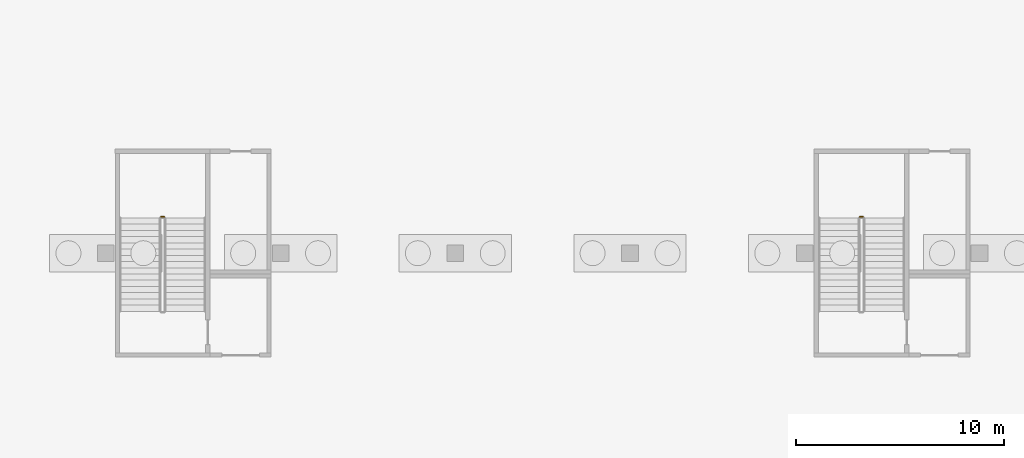
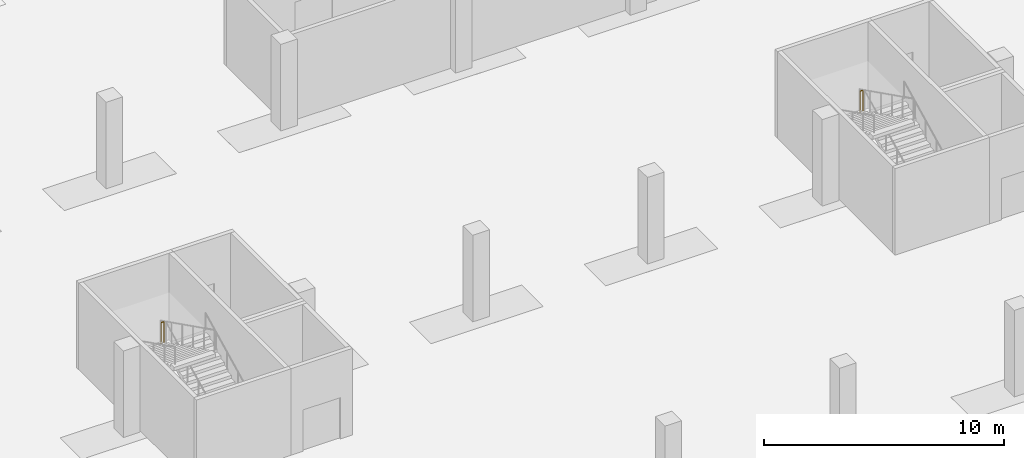
# One storey, part 33 of 46: 2 railings.
"""IFC4 building model written with IfcOpenShell, lengths in metres."""

from ifc_helpers import new_model, si_unit, direction, frame, origin, origin_2d, place, context, subcontext, project, spatial, circle, extrude, material, type_object, element, save


model = new_model("IFC4")

# Units and contexts
model_context = context("Model", 3, precision=1e-05, world=origin(), true_north=direction((0.0, 1.0)))
body_context = subcontext(model_context, "Body", "Model", "MODEL_VIEW")
ifc_project = project(units=[si_unit("LENGTHUNIT", "METRE"), si_unit("AREAUNIT", "SQUARE_METRE"), si_unit("VOLUMEUNIT", "CUBIC_METRE"), si_unit("PLANEANGLEUNIT", "RADIAN"), si_unit("MASSUNIT", "GRAM", prefix="KILO")], contexts=[model_context])

# Site, building, storey
site_placement = place(None, origin())
site = spatial("IfcSite", under=ifc_project, at=site_placement, CompositionType="ELEMENT")
building_placement = place(site_placement, origin())
building = spatial("IfcBuilding", under=site, at=building_placement, Name="Tamra Quay Hotel Tower", CompositionType="ELEMENT")
storey_placement = place(building_placement, frame((0.0, 0.0, -12.0)))
storey = spatial("IfcBuildingStorey", under=building, at=storey_placement, Name="B3", CompositionType="ELEMENT", Elevation=-12.0)

# Railings
ifc_material = material(Name="Basement stair guard 1100")
railing_type = type_object("IfcRailingType", Name="Basement stair guard 1100", PredefinedType="GUARDRAIL", material=ifc_material)
railing_1_placement = place(storey_placement, frame((-52.699951171875, -46.25, 2.39990234375)))
element("IfcRailing", 1, at=railing_1_placement, inside=storey, type_object=railing_type, Name="BSG", PredefinedType="GUARDRAIL", context=body_context, shape_type="SweptSolid", body=[
    extrude(circle(Radius=0.02392578125, at=origin_2d()), frame((0.0, 0.0, 1.076171875), z_axis=(-1.0, 0.0, 0.0), x_axis=(0.0, -1.0, 0.0)), (0.0, 0.0, 1.0), 0.150146484375),
    extrude(circle(Radius=0.02099609375, at=origin_2d()), origin(), (0.0, 0.0, 1.0), 1.052001953125),
    extrude(circle(Radius=0.02099609375, at=origin_2d()), frame((-0.150146484375, 0.0, 0.0)), (0.0, 0.0, 1.0), 1.052001953125),
])
railing_2_placement = place(storey_placement, frame((-19.10009765625, -46.25, 2.39990234375)))
element("IfcRailing", 2, at=railing_2_placement, inside=storey, type_object=railing_type, Name="BSG", PredefinedType="GUARDRAIL", context=body_context, shape_type="SweptSolid", body=[
    extrude(circle(Radius=0.02392578125, at=origin_2d()), frame((0.0, 0.0, 1.076171875), z_axis=(-1.0, 0.0, 0.0), x_axis=(0.0, -1.0, 0.0)), (0.0, 0.0, 1.0), 0.14990234375),
    extrude(circle(Radius=0.02099609375, at=origin_2d()), origin(), (0.0, 0.0, 1.0), 1.052001953125),
    extrude(circle(Radius=0.02099609375, at=origin_2d()), frame((-0.14990234375, 0.0, 0.0)), (0.0, 0.0, 1.0), 1.052001953125),
])

save(model, "model.ifc")
